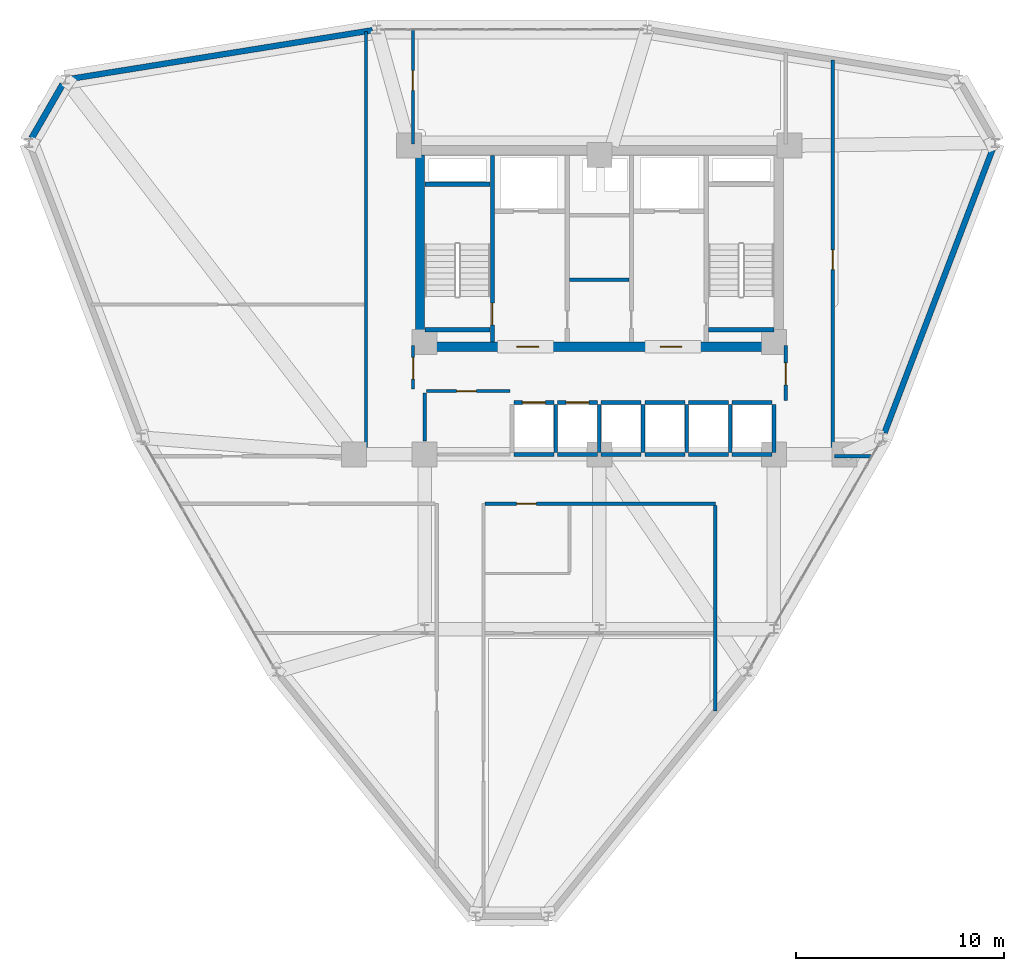
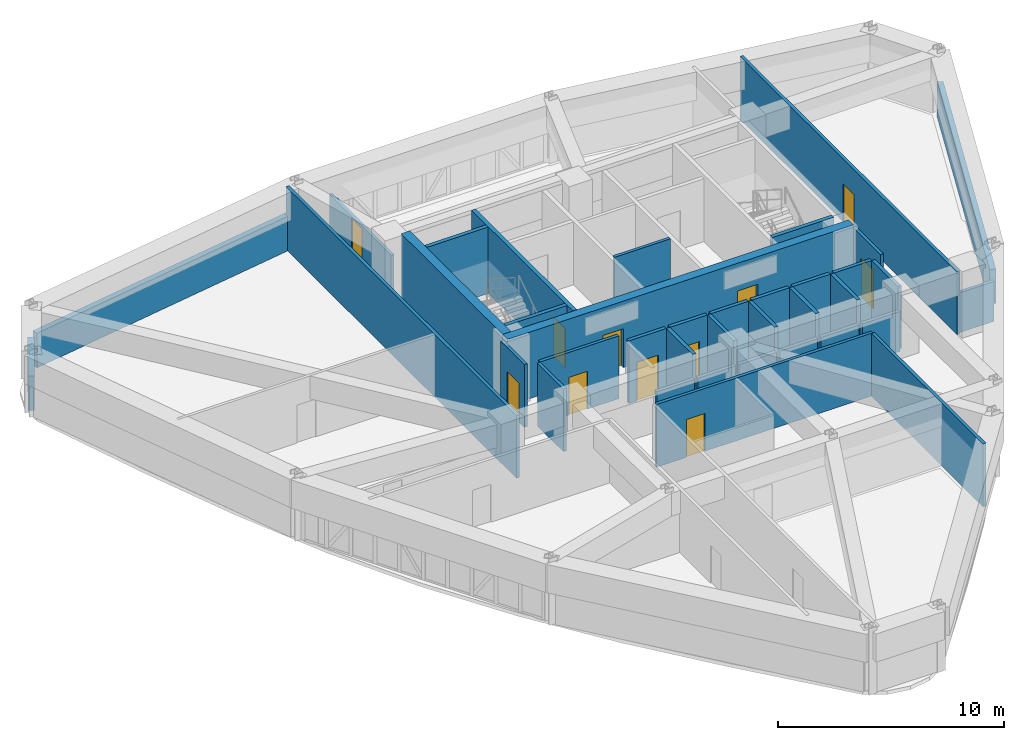
# One storey, part 11 of 13: 38 walls, 11 doors, 11 openings.
"""IFC4 building model written with IfcOpenShell, lengths in metres."""

from ifc_helpers import new_model, si_unit, derived_unit, direction, frame, frame_2d, origin, place, context, subcontext, project, spatial, rectangle, extrude, material, layer, layer_set, type_object, element, fill, save


model = new_model("IFC4")

# Units and contexts
model_context = context("Model", 3, precision=1e-05, world=origin(), true_north=direction((0.0, 1.0)))
body_context = subcontext(model_context, "Body", "Model", "MODEL_VIEW")
ifc_project = project(units=[si_unit("LENGTHUNIT", "METRE"), si_unit("AREAUNIT", "SQUARE_METRE"), si_unit("VOLUMEUNIT", "CUBIC_METRE"), si_unit("PLANEANGLEUNIT", "RADIAN"), si_unit("MASSUNIT", "GRAM", prefix="KILO"), derived_unit("THERMALTRANSMITTANCEUNIT", [(si_unit("POWERUNIT", "WATT"), 1), (si_unit("LENGTHUNIT", "METRE"), -2), (si_unit("THERMODYNAMICTEMPERATUREUNIT", "KELVIN"), -1)])], contexts=[model_context])

# Site, building, storey
site_placement = place(None, origin())
site = spatial("IfcSite", under=ifc_project, at=site_placement, CompositionType="ELEMENT")
building_placement = place(site_placement, origin())
building = spatial("IfcBuilding", under=site, at=building_placement, Name="Korsvarv Bourse and Concert Hall", CompositionType="ELEMENT")
storey_placement = place(building_placement, frame((0.0, 0.0, 154.199951171875)))
storey = spatial("IfcBuildingStorey", under=building, at=storey_placement, Name="L39", CompositionType="ELEMENT", Elevation=154.199951171875)

# Wall, opening, door
ifc_material_1 = material(Name="Concrete C50/60", Category="concrete")
ifc_layer_1 = layer(ifc_material_1, 0.3798828125)
ifc_layer_set_1 = layer_set([ifc_layer_1], Name="Concrete C50/60")
wall_type_1 = type_object("IfcWallType", Name="WL-CORE-380", PredefinedType="SHEAR", material=ifc_layer_set_1)
wall_1_placement = place(storey_placement, frame((30.860107421875, 37.81005859375, 0.0), z_axis=(0.0, 0.0, 1.0), x_axis=(0.0, 1.0, 0.0)))
wall_1 = element("IfcWall", 1, at=wall_1_placement, inside=storey, type_object=wall_type_1, Name="L39 stair shaft structural wall W-L39-ST1-E", PredefinedType="SHEAR", context=body_context, shape_type="SweptSolid", body=[
    extrude(rectangle(XDim=8.97998046875, YDim=0.199951171875, at=frame_2d((4.489990234375, 0.0))), origin(), (0.0, 0.0, 1.0), 3.60009765625),
])
opening_1_placement = place(wall_1_placement, frame((0.820068359375, 0.0, 0.0)))
opening_1 = element("IfcOpeningElement", 2, at=opening_1_placement, cuts=wall_1, Name="Opening D-01", PredefinedType="OPENING", context=body_context, shape_type="SweptSolid", body=[
    extrude(rectangle(XDim=1.050048828125, YDim=2.10009765625, at=frame_2d((0.52490234375, 1.050048828125))), frame((0.0, 0.10986328125, 0.0), z_axis=(0.0, -1.0, 0.0), x_axis=(1.0, 0.0, 0.0)), (0.0, 0.0, 1.0), 0.219970703125),
])
ifc_material_2 = material(Name="Steel S355 fire door", Category="steel")
door_type_1 = type_object("IfcDoorType", Name="DR-FD60", OperationType="NOTDEFINED", PredefinedType="DOOR", material=ifc_material_2)
door_1_placement = place(opening_1_placement, origin())
door_1 = element("IfcDoor", 3, at=door_1_placement, inside=storey, type_object=door_type_1, Name="L39 interior door DR-L39-ST1", OperationType="SINGLE_SWING_LEFT", OverallHeight=2.10009765625, OverallWidth=1.050048828125, PredefinedType="DOOR", context=body_context, shape_type="SweptSolid", body=[
    extrude(rectangle(XDim=1.050048828125, YDim=2.10009765625, at=frame_2d((0.52490234375, 1.050048828125))), frame((0.0, 0.02490234375, 0.0), z_axis=(0.0, -1.0, 0.0), x_axis=(1.0, 0.0, 0.0)), (0.0, 0.0, 1.0), 0.050048828125),
])
fill(opening_1, door_1)

# Walls
for number, where, z_axis, x_axis, name in (
    (4, (27.610107421875, 45.39990234375, 0.0), (0.0, 0.0, 1.0), (1.0, 0.0, 0.0), "L39 stair shaft structural wall W-L39-ST1-N"),
    (5, (27.610107421875, 38.39990234375, 0.0), (0.0, 0.0, 1.0), (1.0, 0.0, 0.0), "L39 stair shaft structural wall W-L39-ST1-S"),
    (6, (41.25, 38.39990234375, 0.0), (0.0, 0.0, 1.0), (1.0, 0.0, 0.0), "L39 stair shaft structural wall W-L39-ST2-S"),
):
    element("IfcWall", number, at=place(storey_placement, frame(where, z_axis=z_axis, x_axis=x_axis)), inside=storey, type_object=wall_type_1, Name=name, PredefinedType="SHEAR", context=body_context, shape_type="SweptSolid", body=[
        extrude(rectangle(XDim=3.139892578125, YDim=0.199951171875, at=frame_2d((1.56982421875, 0.0))), origin(), (0.0, 0.0, 1.0), 3.60009765625),
    ])

# Wall, openings, doors
ifc_material_3 = material(Name="Concrete C55/67", Category="concrete")
ifc_layer_2 = layer(ifc_material_3, 0.449951171875)
ifc_layer_set_2 = layer_set([ifc_layer_2], Name="Concrete C55/67")
wall_type_2 = type_object("IfcWallType", Name="WL-CORE-450", PredefinedType="SHEAR", material=ifc_layer_set_2)
wall_2_placement = place(storey_placement, frame((27.14990234375, 37.574951171875, 0.0), z_axis=(0.0, 0.0, 1.0), x_axis=(1.0, 0.0, 0.0)))
wall_2 = element("IfcWall", 7, at=wall_2_placement, inside=storey, type_object=wall_type_2, Name="L39 South Core Shear Wall", PredefinedType="SHEAR", context=body_context, shape_type="SweptSolid", body=[
    extrude(rectangle(XDim=17.7001953125, YDim=0.449951171875, at=frame_2d((8.85009765625, 0.0))), origin(), (0.0, 0.0, 1.0), 3.60009765625),
])
opening_2_placement = place(wall_2_placement, frame((4.875, 0.0, 0.0)))
opening_2 = element("IfcOpeningElement", 8, at=opening_2_placement, cuts=wall_2, Name="Opening D-01", PredefinedType="OPENING", context=body_context, shape_type="SweptSolid", body=[
    extrude(rectangle(XDim=1.050048828125, YDim=2.10009765625, at=frame_2d((0.52490234375, 1.050048828125))), frame((0.0, 0.23486328125, 0.0), z_axis=(0.0, -1.0, 0.0), x_axis=(1.0, 0.0, 0.0)), (0.0, 0.0, 1.0), 0.469970703125),
])
opening_3_placement = place(wall_2_placement, frame((11.77490234375, 0.0, 0.0)))
opening_3 = element("IfcOpeningElement", 9, at=opening_3_placement, cuts=wall_2, Name="Opening D-01", PredefinedType="OPENING", context=body_context, shape_type="SweptSolid", body=[
    extrude(rectangle(XDim=1.050048828125, YDim=2.10009765625, at=frame_2d((0.52490234375, 1.050048828125))), frame((0.0, 0.23486328125, 0.0), z_axis=(0.0, -1.0, 0.0), x_axis=(1.0, 0.0, 0.0)), (0.0, 0.0, 1.0), 0.469970703125),
])
door_2_placement = place(opening_2_placement, frame((1.050048828125, 0.0, 0.0), z_axis=(0.0, 0.0, 1.0), x_axis=(-1.0, 0.0, 0.0)))
door_2 = element("IfcDoor", 10, at=door_2_placement, inside=storey, type_object=door_type_1, Name="L39 firefighting lobby fire door DR-L39-FFLW", OperationType="SINGLE_SWING_LEFT", OverallHeight=2.10009765625, OverallWidth=1.050048828125, PredefinedType="DOOR", context=body_context, shape_type="SweptSolid", body=[
    extrude(rectangle(XDim=1.050048828125, YDim=2.10009765625, at=frame_2d((0.52490234375, 1.050048828125))), frame((0.0, 0.02490234375, 0.0), z_axis=(0.0, -1.0, 0.0), x_axis=(1.0, 0.0, 0.0)), (0.0, 0.0, 1.0), 0.050048828125),
])
fill(opening_2, door_2)
door_3_placement = place(opening_3_placement, frame((1.050048828125, 0.0, 0.0), z_axis=(0.0, 0.0, 1.0), x_axis=(-1.0, 0.0, 0.0)))
door_3 = element("IfcDoor", 11, at=door_3_placement, inside=storey, type_object=door_type_1, Name="L39 firefighting lobby fire door DR-L39-FFLE", OperationType="SINGLE_SWING_RIGHT", OverallHeight=2.10009765625, OverallWidth=1.050048828125, PredefinedType="DOOR", context=body_context, shape_type="SweptSolid", body=[
    extrude(rectangle(XDim=1.050048828125, YDim=2.10009765625, at=frame_2d((0.52490234375, 1.050048828125))), frame((0.0, 0.02490234375, 0.0), z_axis=(0.0, -1.0, 0.0), x_axis=(1.0, 0.0, 0.0)), (0.0, 0.0, 1.0), 0.050048828125),
])
fill(opening_3, door_3)

# Walls
wall_3_placement = place(storey_placement, frame((27.375, 37.800048828125, 0.0), z_axis=(0.0, 0.0, 1.0), x_axis=(0.0, 1.0, 0.0)))
element("IfcWall", 12, at=wall_3_placement, inside=storey, type_object=wall_type_2, Name="L39 West Core Shear Wall", PredefinedType="SHEAR", context=body_context, shape_type="SweptSolid", body=[
    extrude(rectangle(XDim=9.0, YDim=0.449951171875, at=frame_2d((4.5, 0.0))), origin(), (0.0, 0.0, 1.0), 3.60009765625),
])
ifc_material_4 = material(Name="Precast concrete C45/55 with terracotta rainscreen", Category="concrete")
ifc_layer_3 = layer(ifc_material_4, 0.300048828125)
ifc_layer_set_3 = layer_set([ifc_layer_3], Name="Precast concrete C45/55 with terracotta rainscreen")
wall_type_3 = type_object("IfcWallType", Name="WL-EXT-TC1", PredefinedType="SOLIDWALL", material=ifc_layer_set_3)
wall_4_placement = place(storey_placement, frame((10.1904296875, 50.20361328125, 0.0), z_axis=(0.0, 0.0, 1.0), x_axis=(-0.499974392705, -0.866040187658, 0.0)))
element("IfcWall", 13, at=wall_4_placement, inside=storey, type_object=wall_type_3, Name="L39 terracotta exterior wall EW-L39-B05", PredefinedType="SOLIDWALL", context=body_context, shape_type="SweptSolid", body=[
    extrude(rectangle(XDim=2.991943359375, YDim=0.300048828125, at=frame_2d((1.49609375, 0.0))), origin(), (0.0, 0.0, 1.0), 1.8701171875),
])
ifc_material_5 = material(Name="Precast concrete C45/55 with fluted terracotta pier", Category="concrete")
ifc_layer_4 = layer(ifc_material_5, 0.280029296875)
ifc_layer_set_4 = layer_set([ifc_layer_4], Name="Precast concrete C45/55 with fluted terracotta pier")
wall_type_4 = type_object("IfcWallType", Name="WL-EXT-TC2", PredefinedType="SOLIDWALL", material=ifc_layer_set_4)
wall_5_placement = place(storey_placement, frame((25.088134765625, 52.802490234375, 0.0), z_axis=(0.0, 0.0, 1.0), x_axis=(-0.987303259595, -0.158846698404, 0.0)))
element("IfcWall", 14, at=wall_5_placement, inside=storey, type_object=wall_type_4, Name="L39 terracotta exterior wall EW-L39-B04", PredefinedType="SOLIDWALL", context=body_context, shape_type="SweptSolid", body=[
    extrude(rectangle(XDim=14.74560546875, YDim=0.280029296875, at=frame_2d((7.372802734375, 0.0))), origin(), (0.0, 0.0, 1.0), 1.8701171875),
])
wall_6_placement = place(storey_placement, frame((49.716064453125, 33.43408203125, 0.0), z_axis=(0.0, 0.0, 1.0), x_axis=(0.356077530784, 0.934456415287, 0.0)))
element("IfcWall", 15, at=wall_6_placement, inside=storey, type_object=wall_type_4, Name="L39 terracotta exterior wall EW-L39-B12", PredefinedType="SOLIDWALL", context=body_context, shape_type="SweptSolid", body=[
    extrude(rectangle(XDim=14.69677734375, YDim=0.280029296875, at=frame_2d((7.348388671875, 0.0))), origin(), (0.0, 0.0, 1.0), 1.8701171875),
])
ifc_material_6 = material(Name="Double-stud fire-rated acoustic partition", Category="gypsum")
ifc_layer_5 = layer(ifc_material_6, 0.159912109375)
ifc_layer_set_5 = layer_set([ifc_layer_5], Name="Double-stud fire-rated acoustic partition")
wall_type_5 = type_object("IfcWallType", Name="WL-INT-EI60", PredefinedType="PARTITIONING", material=ifc_layer_set_5)
wall_7_placement = place(storey_placement, frame((34.570068359375, 40.800048828125, 0.0), z_axis=(0.0, 0.0, 1.0), x_axis=(1.0, 0.0, 0.0)))
element("IfcWall", 16, at=wall_7_placement, inside=storey, type_object=wall_type_5, Name="L39 interior partition wall W-L39-K1", PredefinedType="PARTITIONING", context=body_context, shape_type="SweptSolid", body=[
    extrude(rectangle(XDim=2.85986328125, YDim=0.159912109375, at=frame_2d((1.429931640625, 0.0))), origin(), (0.0, 0.0, 1.0), 3.400146484375),
])
wall_8_placement = place(storey_placement, frame((27.60009765625, 33.050048828125, 0.0), z_axis=(0.0, 0.0, 1.0), x_axis=(0.0, 1.0, 0.0)))
element("IfcWall", 17, at=wall_8_placement, inside=storey, type_object=wall_type_5, Name="L39 interior partition wall W-L39-FRD-W", PredefinedType="PARTITIONING", context=body_context, shape_type="SweptSolid", body=[
    extrude(rectangle(XDim=2.31005859375, YDim=0.159912109375, at=frame_2d((1.155029296875, 0.0))), origin(), (0.0, 0.0, 1.0), 3.400146484375),
])

# Wall, opening, door
wall_9_placement = place(storey_placement, frame((27.68994140625, 35.449951171875, 0.0), z_axis=(0.0, 0.0, 1.0), x_axis=(1.0, 0.0, 0.0)))
wall_9 = element("IfcWall", 18, at=wall_9_placement, inside=storey, type_object=wall_type_5, Name="L39 interior partition wall W-L39-FRD-N", PredefinedType="PARTITIONING", context=body_context, shape_type="SweptSolid", body=[
    extrude(rectangle(XDim=4.010009765625, YDim=0.159912109375, at=frame_2d((2.0048828125, 0.0))), origin(), (0.0, 0.0, 1.0), 3.400146484375),
])
opening_4_placement = place(wall_9_placement, frame((1.449951171875, 0.0, 0.0)))
opening_4 = element("IfcOpeningElement", 19, at=opening_4_placement, cuts=wall_9, Name="Opening D-03", PredefinedType="OPENING", context=body_context, shape_type="SweptSolid", body=[
    extrude(rectangle(XDim=0.949951171875, YDim=2.050048828125, at=frame_2d((0.47509765625, 1.02490234375))), frame((0.0, 0.08984375, 0.0), z_axis=(0.0, -1.0, 0.0), x_axis=(1.0, 0.0, 0.0)), (0.0, 0.0, 1.0), 0.179931640625),
])
ifc_material_7 = material(Name="Nordic oak acoustic office door", Category="wood")
door_type_2 = type_object("IfcDoorType", Name="DR-INT-1", OperationType="NOTDEFINED", PredefinedType="DOOR", material=ifc_material_7)
door_4_placement = place(opening_4_placement, origin())
door_4 = element("IfcDoor", 20, at=door_4_placement, inside=storey, type_object=door_type_2, Name="L39 interior door DR-L39-FRDN1", OperationType="SINGLE_SWING_LEFT", OverallHeight=2.050048828125, OverallWidth=0.949951171875, PredefinedType="DOOR", context=body_context, shape_type="SweptSolid", body=[
    extrude(rectangle(XDim=0.949951171875, YDim=2.050048828125, at=frame_2d((0.47509765625, 1.02490234375))), frame((0.0, 0.02490234375, 0.0), z_axis=(0.0, -1.0, 0.0), x_axis=(1.0, 0.0, 0.0)), (0.0, 0.0, 1.0), 0.050048828125),
])
fill(opening_4, door_4)

wall_10_placement = place(storey_placement, frame((27.0400390625, 35.5400390625, 0.0), z_axis=(0.0, 0.0, 1.0), x_axis=(0.0, 1.0, 0.0)))
wall_10 = element("IfcWall", 21, at=wall_10_placement, inside=storey, type_object=wall_type_5, Name="L39 interior partition wall W-L39-LOB-WL", PredefinedType="PARTITIONING", context=body_context, shape_type="SweptSolid", body=[
    extrude(rectangle(XDim=2.10986328125, YDim=0.159912109375, at=frame_2d((1.054931640625, 0.0))), origin(), (0.0, 0.0, 1.0), 3.400146484375),
])
opening_5_placement = place(wall_10_placement, frame((0.47998046875, 0.0, 0.0)))
opening_5 = element("IfcOpeningElement", 22, at=opening_5_placement, cuts=wall_10, Name="Opening D-01", PredefinedType="OPENING", context=body_context, shape_type="SweptSolid", body=[
    extrude(rectangle(XDim=1.050048828125, YDim=2.10009765625, at=frame_2d((0.52490234375, 1.050048828125))), frame((0.0, 0.08984375, 0.0), z_axis=(0.0, -1.0, 0.0), x_axis=(1.0, 0.0, 0.0)), (0.0, 0.0, 1.0), 0.179931640625),
])
door_5_placement = place(opening_5_placement, frame((1.050048828125, 0.0, 0.0), z_axis=(0.0, 0.0, 1.0), x_axis=(-1.0, 0.0, 0.0)))
door_5 = element("IfcDoor", 23, at=door_5_placement, inside=storey, type_object=door_type_1, Name="L39 interior door DR-L39-LOBW", OperationType="SINGLE_SWING_RIGHT", OverallHeight=2.10009765625, OverallWidth=1.050048828125, PredefinedType="DOOR", context=body_context, shape_type="SweptSolid", body=[
    extrude(rectangle(XDim=1.050048828125, YDim=2.10009765625, at=frame_2d((0.52490234375, 1.050048828125))), frame((0.0, 0.02490234375, 0.0), z_axis=(0.0, -1.0, 0.0), x_axis=(1.0, 0.0, 0.0)), (0.0, 0.0, 1.0), 0.050048828125),
])
fill(opening_5, door_5)

wall_11_placement = place(storey_placement, frame((44.9599609375, 35.0, 0.0), z_axis=(0.0, 0.0, 1.0), x_axis=(0.0, 1.0, 0.0)))
wall_11 = element("IfcWall", 24, at=wall_11_placement, inside=storey, type_object=wall_type_5, Name="L39 interior partition wall W-L39-LOB-E", PredefinedType="PARTITIONING", context=body_context, shape_type="SweptSolid", body=[
    extrude(rectangle(XDim=2.64990234375, YDim=0.159912109375, at=frame_2d((1.324951171875, 0.0))), origin(), (0.0, 0.0, 1.0), 3.400146484375),
])
opening_6_placement = place(wall_11_placement, frame((0.75, 0.0, 0.0)))
opening_6 = element("IfcOpeningElement", 25, at=opening_6_placement, cuts=wall_11, Name="Opening D-01", PredefinedType="OPENING", context=body_context, shape_type="SweptSolid", body=[
    extrude(rectangle(XDim=1.050048828125, YDim=2.10009765625, at=frame_2d((0.52490234375, 1.050048828125))), frame((0.0, 0.08984375, 0.0), z_axis=(0.0, -1.0, 0.0), x_axis=(1.0, 0.0, 0.0)), (0.0, 0.0, 1.0), 0.179931640625),
])
door_6_placement = place(opening_6_placement, origin())
door_6 = element("IfcDoor", 26, at=door_6_placement, inside=storey, type_object=door_type_1, Name="L39 interior door DR-L39-LOBE", OperationType="SINGLE_SWING_LEFT", OverallHeight=2.10009765625, OverallWidth=1.050048828125, PredefinedType="DOOR", context=body_context, shape_type="SweptSolid", body=[
    extrude(rectangle(XDim=1.050048828125, YDim=2.10009765625, at=frame_2d((0.52490234375, 1.050048828125))), frame((0.0, 0.02490234375, 0.0), z_axis=(0.0, -1.0, 0.0), x_axis=(1.0, 0.0, 0.0)), (0.0, 0.0, 1.0), 0.050048828125),
])
fill(opening_6, door_6)

# Wall
wall_12_placement = place(storey_placement, frame((24.77490234375, 32.31005859375, 0.0), z_axis=(0.0, 0.0, 1.0), x_axis=(0.0, 1.0, 0.0)))
element("IfcWall", 27, at=wall_12_placement, inside=storey, type_object=wall_type_5, Name="L39 interior partition wall W-L39-TCOR-01", PredefinedType="PARTITIONING", context=body_context, shape_type="SweptSolid", body=[
    extrude(rectangle(XDim=20.422119140625, YDim=0.159912109375, at=frame_2d((10.2109375, 0.0))), origin(), (0.0, 0.0, 1.0), 3.400146484375),
])

# Wall, opening, door
wall_13_placement = place(storey_placement, frame((47.22509765625, 32.159912109375, 0.0), z_axis=(0.0, 0.0, 1.0), x_axis=(0.0, 1.0, 0.0)))
wall_13 = element("IfcWall", 28, at=wall_13_placement, inside=storey, type_object=wall_type_5, Name="L39 interior partition wall W-L39-TCOR-03", PredefinedType="PARTITIONING", context=body_context, shape_type="SweptSolid", body=[
    extrude(rectangle(XDim=19.220703125, YDim=0.159912109375, at=frame_2d((9.6103515625, 0.0))), origin(), (0.0, 0.0, 1.0), 3.400146484375),
])
opening_7_placement = place(wall_13_placement, frame((9.13525390625, 0.0, 0.0)))
opening_7 = element("IfcOpeningElement", 29, at=opening_7_placement, cuts=wall_13, Name="Opening D-02", PredefinedType="OPENING", context=body_context, shape_type="SweptSolid", body=[
    extrude(rectangle(XDim=0.949951171875, YDim=2.050048828125, at=frame_2d((0.47509765625, 1.02490234375))), frame((0.0, 0.08984375, 0.0), z_axis=(0.0, -1.0, 0.0), x_axis=(1.0, 0.0, 0.0)), (0.0, 0.0, 1.0), 0.179931640625),
])
ifc_material_8 = material(Name="Timber and steel acoustic fire door", Category="wood")
door_type_3 = type_object("IfcDoorType", Name="DR-FD30", OperationType="NOTDEFINED", PredefinedType="DOOR", material=ifc_material_8)
door_7_placement = place(opening_7_placement, origin())
door_7 = element("IfcDoor", 30, at=door_7_placement, inside=storey, type_object=door_type_3, Name="L39 interior door DR-L39-TCOR-SOM1", OperationType="SINGLE_SWING_LEFT", OverallHeight=2.050048828125, OverallWidth=0.949951171875, PredefinedType="DOOR", context=body_context, shape_type="SweptSolid", body=[
    extrude(rectangle(XDim=0.949951171875, YDim=2.050048828125, at=frame_2d((0.47509765625, 1.02490234375))), frame((0.0, 0.02490234375, 0.0), z_axis=(0.0, -1.0, 0.0), x_axis=(1.0, 0.0, 0.0)), (0.0, 0.0, 1.0), 0.050048828125),
])
fill(opening_7, door_7)

wall_14_placement = place(storey_placement, frame((30.507080078125, 30.02490234375, 0.0), z_axis=(0.0, 0.0, 1.0), x_axis=(1.0, 0.0, 0.0)))
wall_14 = element("IfcWall", 31, at=wall_14_placement, inside=storey, type_object=wall_type_5, Name="L39 interior partition wall W-L39-TCOR-06", PredefinedType="PARTITIONING", context=body_context, shape_type="SweptSolid", body=[
    extrude(rectangle(XDim=11.072998046875, YDim=0.159912109375, at=frame_2d((5.53662109375, 0.0))), origin(), (0.0, 0.0, 1.0), 3.400146484375),
])
opening_8_placement = place(wall_14_placement, frame((1.51220703125, 0.0, 0.0)))
opening_8 = element("IfcOpeningElement", 32, at=opening_8_placement, cuts=wall_14, Name="Opening D-02", PredefinedType="OPENING", context=body_context, shape_type="SweptSolid", body=[
    extrude(rectangle(XDim=0.949951171875, YDim=2.050048828125, at=frame_2d((0.47509765625, 1.02490234375))), frame((0.0, 0.08984375, 0.0), z_axis=(0.0, -1.0, 0.0), x_axis=(1.0, 0.0, 0.0)), (0.0, 0.0, 1.0), 0.179931640625),
])
door_8_placement = place(opening_8_placement, origin())
door_8 = element("IfcDoor", 33, at=door_8_placement, inside=storey, type_object=door_type_3, Name="L39 interior door DR-L39-TCOR-RWC", OperationType="SINGLE_SWING_RIGHT", OverallHeight=2.050048828125, OverallWidth=0.949951171875, PredefinedType="DOOR", context=body_context, shape_type="SweptSolid", body=[
    extrude(rectangle(XDim=0.949951171875, YDim=2.050048828125, at=frame_2d((0.47509765625, 1.02490234375))), frame((0.0, 0.02490234375, 0.0), z_axis=(0.0, -1.0, 0.0), x_axis=(1.0, 0.0, 0.0)), (0.0, 0.0, 1.0), 0.050048828125),
])
fill(opening_8, door_8)

# Wall
wall_15_placement = place(storey_placement, frame((41.574951171875, 20.060791015625, 0.0), z_axis=(0.0, 0.0, 1.0), x_axis=(0.0, 1.0, 0.0)))
element("IfcWall", 34, at=wall_15_placement, inside=storey, type_object=wall_type_5, Name="L39 interior partition wall W-L39-TCOR-08", PredefinedType="PARTITIONING", context=body_context, shape_type="SweptSolid", body=[
    extrude(rectangle(XDim=9.88232421875, YDim=0.159912109375, at=frame_2d((4.941162109375, 0.0))), origin(), (0.0, 0.0, 1.0), 3.400146484375),
])

# Wall, opening, door
wall_16_placement = place(storey_placement, frame((27.034912109375, 47.340087890625, 0.0), z_axis=(0.0, 0.0, 1.0), x_axis=(0.0, 1.0, 0.0)))
wall_16 = element("IfcWall", 35, at=wall_16_placement, inside=storey, type_object=wall_type_5, Name="L39 interior partition wall W-L39-TCOR-09", PredefinedType="PARTITIONING", context=body_context, shape_type="SweptSolid", body=[
    extrude(rectangle(XDim=5.476318359375, YDim=0.159912109375, at=frame_2d((2.73828125, 0.0))), origin(), (0.0, 0.0, 1.0), 2.16015625),
])
opening_9_placement = place(wall_16_placement, frame((2.570068359375, 0.0, 0.0)))
opening_9 = element("IfcOpeningElement", 36, at=opening_9_placement, cuts=wall_16, Name="Opening D-02", PredefinedType="OPENING", context=body_context, shape_type="SweptSolid", body=[
    extrude(rectangle(XDim=0.949951171875, YDim=2.050048828125, at=frame_2d((0.47509765625, 1.02490234375))), frame((0.0, 0.08984375, 0.0), z_axis=(0.0, -1.0, 0.0), x_axis=(1.0, 0.0, 0.0)), (0.0, 0.0, 1.0), 0.179931640625),
])
door_9_placement = place(opening_9_placement, origin())
door_9 = element("IfcDoor", 37, at=door_9_placement, inside=storey, type_object=door_type_3, Name="L39 interior door DR-L39-TCOR-CIG2", OperationType="SINGLE_SWING_RIGHT", OverallHeight=2.050048828125, OverallWidth=0.949951171875, PredefinedType="DOOR", context=body_context, shape_type="SweptSolid", body=[
    extrude(rectangle(XDim=0.949951171875, YDim=2.050048828125, at=frame_2d((0.47509765625, 1.02490234375))), frame((0.0, 0.02490234375, 0.0), z_axis=(0.0, -1.0, 0.0), x_axis=(1.0, 0.0, 0.0)), (0.0, 0.0, 1.0), 0.050048828125),
])
fill(opening_9, door_9)

# Wall
wall_17_placement = place(storey_placement, frame((47.306884765625, 32.31494140625, 0.0), z_axis=(0.0, 0.0, 1.0), x_axis=(1.0, 0.0, 0.0)))
element("IfcWall", 38, at=wall_17_placement, inside=storey, type_object=wall_type_5, Name="L39 interior partition wall W-L39-TCOR-11", PredefinedType="PARTITIONING", context=body_context, shape_type="SweptSolid", body=[
    extrude(rectangle(XDim=1.78662109375, YDim=0.159912109375, at=frame_2d((0.893310546875, 0.0))), origin(), (0.0, 0.0, 1.0), 2.16015625),
])

# Wall, opening, door
ifc_material_9 = material(Name="Gypsum-clad autoclaved concrete shaft wall C30/37", Category="concrete")
ifc_layer_6 = layer(ifc_material_9, 0.179931640625)
ifc_layer_set_6 = layer_set([ifc_layer_6], Name="Gypsum-clad autoclaved concrete shaft wall C30/37")
wall_type_6 = type_object("IfcWallType", Name="WL-INT-EI90", PredefinedType="PARTITIONING", material=ifc_layer_set_6)
wall_18_placement = place(storey_placement, frame((31.889892578125, 34.89990234375, 0.0), z_axis=(0.0, 0.0, 1.0), x_axis=(1.0, 0.0, 0.0)))
wall_18 = element("IfcWall", 39, at=wall_18_placement, inside=storey, type_object=wall_type_6, Name="L39 interior partition wall W-L39-SHFN-PM1", PredefinedType="PARTITIONING", context=body_context, shape_type="SweptSolid", body=[
    extrude(rectangle(XDim=1.920166015625, YDim=0.179931640625, at=frame_2d((0.9599609375, 0.0))), origin(), (0.0, 0.0, 1.0), 3.400146484375),
])
opening_10_placement = place(wall_18_placement, frame((0.409912109375, 0.0, 0.0)))
opening_10 = element("IfcOpeningElement", 40, at=opening_10_placement, cuts=wall_18, Name="Opening LD-2", PredefinedType="OPENING", context=body_context, shape_type="SweptSolid", body=[
    extrude(rectangle(XDim=1.10009765625, YDim=2.10009765625, at=frame_2d((0.550048828125, 1.050048828125))), frame((0.0, 0.10009765625, 0.0), z_axis=(0.0, -1.0, 0.0), x_axis=(1.0, 0.0, 0.0)), (0.0, 0.0, 1.0), 0.199951171875),
])
ifc_material_10 = material(Name="Brushed stainless Steel S355 lift landing door", Category="steel")
door_type_4 = type_object("IfcDoorType", Name="DR-LIFT-P", OperationType="DOUBLE_DOOR_SLIDING", PredefinedType="DOOR", material=ifc_material_10)
door_10_placement = place(opening_10_placement, origin())
door_10 = element("IfcDoor", 41, at=door_10_placement, inside=storey, type_object=door_type_4, Name="L39 lift sliding landing door LD-L39-PM1", OperationType="DOUBLE_DOOR_SLIDING", OverallHeight=2.10009765625, OverallWidth=1.10009765625, PredefinedType="DOOR", context=body_context, shape_type="SweptSolid", body=[
    extrude(rectangle(XDim=1.10009765625, YDim=2.10009765625, at=frame_2d((0.550048828125, 1.050048828125))), frame((0.0, 0.02490234375, 0.0), z_axis=(0.0, -1.0, 0.0), x_axis=(1.0, 0.0, 0.0)), (0.0, 0.0, 1.0), 0.050048828125),
])
fill(opening_10, door_10)

# Wall
wall_19_placement = place(storey_placement, frame((31.889892578125, 32.39990234375, 0.0), z_axis=(0.0, 0.0, 1.0), x_axis=(1.0, 0.0, 0.0)))
element("IfcWall", 42, at=wall_19_placement, inside=storey, type_object=wall_type_6, Name="L39 interior partition wall W-L39-SHFS-PM1", PredefinedType="PARTITIONING", context=body_context, shape_type="SweptSolid", body=[
    extrude(rectangle(XDim=1.920166015625, YDim=0.179931640625, at=frame_2d((0.9599609375, 0.0))), origin(), (0.0, 0.0, 1.0), 2.16015625),
])

# Wall, opening, door
wall_20_placement = place(storey_placement, frame((33.989990234375, 34.89990234375, 0.0), z_axis=(0.0, 0.0, 1.0), x_axis=(1.0, 0.0, 0.0)))
wall_20 = element("IfcWall", 43, at=wall_20_placement, inside=storey, type_object=wall_type_6, Name="L39 interior partition wall W-L39-SHFN-PM2", PredefinedType="PARTITIONING", context=body_context, shape_type="SweptSolid", body=[
    extrude(rectangle(XDim=1.919921875, YDim=0.179931640625, at=frame_2d((0.9599609375, 0.0))), origin(), (0.0, 0.0, 1.0), 3.400146484375),
])
opening_11_placement = place(wall_20_placement, frame((0.409912109375, 0.0, 0.0)))
opening_11 = element("IfcOpeningElement", 44, at=opening_11_placement, cuts=wall_20, Name="Opening LD-2", PredefinedType="OPENING", context=body_context, shape_type="SweptSolid", body=[
    extrude(rectangle(XDim=1.10009765625, YDim=2.10009765625, at=frame_2d((0.550048828125, 1.050048828125))), frame((0.0, 0.10009765625, 0.0), z_axis=(0.0, -1.0, 0.0), x_axis=(1.0, 0.0, 0.0)), (0.0, 0.0, 1.0), 0.199951171875),
])
door_11_placement = place(opening_11_placement, origin())
door_11 = element("IfcDoor", 45, at=door_11_placement, inside=storey, type_object=door_type_4, Name="L39 lift sliding landing door LD-L39-PM2", OperationType="DOUBLE_DOOR_SLIDING", OverallHeight=2.10009765625, OverallWidth=1.10009765625, PredefinedType="DOOR", context=body_context, shape_type="SweptSolid", body=[
    extrude(rectangle(XDim=1.10009765625, YDim=2.10009765625, at=frame_2d((0.550048828125, 1.050048828125))), frame((0.0, 0.02490234375, 0.0), z_axis=(0.0, -1.0, 0.0), x_axis=(1.0, 0.0, 0.0)), (0.0, 0.0, 1.0), 0.050048828125),
])
fill(opening_11, door_11)

# Walls
wall_21_placement = place(storey_placement, frame((33.989990234375, 32.39990234375, 0.0), z_axis=(0.0, 0.0, 1.0), x_axis=(1.0, 0.0, 0.0)))
element("IfcWall", 46, at=wall_21_placement, inside=storey, type_object=wall_type_6, Name="L39 interior partition wall W-L39-SHFS-PM2", PredefinedType="PARTITIONING", context=body_context, shape_type="SweptSolid", body=[
    extrude(rectangle(XDim=1.919921875, YDim=0.179931640625, at=frame_2d((0.9599609375, 0.0))), origin(), (0.0, 0.0, 1.0), 2.16015625),
])
wall_22_placement = place(storey_placement, frame((33.89990234375, 32.489990234375, 0.0), z_axis=(0.0, 0.0, 1.0), x_axis=(0.0, 1.0, 0.0)))
element("IfcWall", 47, at=wall_22_placement, inside=storey, type_object=wall_type_6, Name="L39 interior partition wall W-L39-SHFW-PM2", PredefinedType="PARTITIONING", context=body_context, shape_type="SweptSolid", body=[
    extrude(rectangle(XDim=2.320068359375, YDim=0.179931640625, at=frame_2d((1.16015625, 0.0))), origin(), (0.0, 0.0, 1.0), 3.400146484375),
])
wall_23_placement = place(storey_placement, frame((36.090087890625, 34.89990234375, 0.0), z_axis=(0.0, 0.0, 1.0), x_axis=(1.0, 0.0, 0.0)))
element("IfcWall", 48, at=wall_23_placement, inside=storey, type_object=wall_type_6, Name="L39 interior partition wall W-L39-SHFN-PH1", PredefinedType="PARTITIONING", context=body_context, shape_type="SweptSolid", body=[
    extrude(rectangle(XDim=1.919921875, YDim=0.179931640625, at=frame_2d((0.9599609375, 0.0))), origin(), (0.0, 0.0, 1.0), 3.400146484375),
])
wall_24_placement = place(storey_placement, frame((36.090087890625, 32.39990234375, 0.0), z_axis=(0.0, 0.0, 1.0), x_axis=(1.0, 0.0, 0.0)))
element("IfcWall", 49, at=wall_24_placement, inside=storey, type_object=wall_type_6, Name="L39 interior partition wall W-L39-SHFS-PH1", PredefinedType="PARTITIONING", context=body_context, shape_type="SweptSolid", body=[
    extrude(rectangle(XDim=1.919921875, YDim=0.179931640625, at=frame_2d((0.9599609375, 0.0))), origin(), (0.0, 0.0, 1.0), 2.16015625),
])
wall_25_placement = place(storey_placement, frame((36.0, 32.489990234375, 0.0), z_axis=(0.0, 0.0, 1.0), x_axis=(0.0, 1.0, 0.0)))
element("IfcWall", 50, at=wall_25_placement, inside=storey, type_object=wall_type_6, Name="L39 interior partition wall W-L39-SHFW-PH1", PredefinedType="PARTITIONING", context=body_context, shape_type="SweptSolid", body=[
    extrude(rectangle(XDim=2.320068359375, YDim=0.179931640625, at=frame_2d((1.16015625, 0.0))), origin(), (0.0, 0.0, 1.0), 3.400146484375),
])
wall_26_placement = place(storey_placement, frame((38.18994140625, 34.89990234375, 0.0), z_axis=(0.0, 0.0, 1.0), x_axis=(1.0, 0.0, 0.0)))
element("IfcWall", 51, at=wall_26_placement, inside=storey, type_object=wall_type_6, Name="L39 interior partition wall W-L39-SHFN-PH2", PredefinedType="PARTITIONING", context=body_context, shape_type="SweptSolid", body=[
    extrude(rectangle(XDim=1.920166015625, YDim=0.179931640625, at=frame_2d((0.9599609375, 0.0))), origin(), (0.0, 0.0, 1.0), 3.400146484375),
])
wall_27_placement = place(storey_placement, frame((38.18994140625, 32.39990234375, 0.0), z_axis=(0.0, 0.0, 1.0), x_axis=(1.0, 0.0, 0.0)))
element("IfcWall", 52, at=wall_27_placement, inside=storey, type_object=wall_type_6, Name="L39 interior partition wall W-L39-SHFS-PH2", PredefinedType="PARTITIONING", context=body_context, shape_type="SweptSolid", body=[
    extrude(rectangle(XDim=1.920166015625, YDim=0.179931640625, at=frame_2d((0.9599609375, 0.0))), origin(), (0.0, 0.0, 1.0), 2.16015625),
])
wall_28_placement = place(storey_placement, frame((38.10009765625, 32.489990234375, 0.0), z_axis=(0.0, 0.0, 1.0), x_axis=(0.0, 1.0, 0.0)))
element("IfcWall", 53, at=wall_28_placement, inside=storey, type_object=wall_type_6, Name="L39 interior partition wall W-L39-SHFW-PH2", PredefinedType="PARTITIONING", context=body_context, shape_type="SweptSolid", body=[
    extrude(rectangle(XDim=2.320068359375, YDim=0.179931640625, at=frame_2d((1.16015625, 0.0))), origin(), (0.0, 0.0, 1.0), 3.400146484375),
])
wall_29_placement = place(storey_placement, frame((40.2900390625, 34.89990234375, 0.0), z_axis=(0.0, 0.0, 1.0), x_axis=(1.0, 0.0, 0.0)))
element("IfcWall", 54, at=wall_29_placement, inside=storey, type_object=wall_type_6, Name="L39 interior partition wall W-L39-SHFN-PO1", PredefinedType="PARTITIONING", context=body_context, shape_type="SweptSolid", body=[
    extrude(rectangle(XDim=1.919921875, YDim=0.179931640625, at=frame_2d((0.9599609375, 0.0))), origin(), (0.0, 0.0, 1.0), 3.400146484375),
])
wall_30_placement = place(storey_placement, frame((40.2900390625, 32.39990234375, 0.0), z_axis=(0.0, 0.0, 1.0), x_axis=(1.0, 0.0, 0.0)))
element("IfcWall", 55, at=wall_30_placement, inside=storey, type_object=wall_type_6, Name="L39 interior partition wall W-L39-SHFS-PO1", PredefinedType="PARTITIONING", context=body_context, shape_type="SweptSolid", body=[
    extrude(rectangle(XDim=1.919921875, YDim=0.179931640625, at=frame_2d((0.9599609375, 0.0))), origin(), (0.0, 0.0, 1.0), 2.16015625),
])
wall_31_placement = place(storey_placement, frame((40.199951171875, 32.489990234375, 0.0), z_axis=(0.0, 0.0, 1.0), x_axis=(0.0, 1.0, 0.0)))
element("IfcWall", 56, at=wall_31_placement, inside=storey, type_object=wall_type_6, Name="L39 interior partition wall W-L39-SHFW-PO1", PredefinedType="PARTITIONING", context=body_context, shape_type="SweptSolid", body=[
    extrude(rectangle(XDim=2.320068359375, YDim=0.179931640625, at=frame_2d((1.16015625, 0.0))), origin(), (0.0, 0.0, 1.0), 3.400146484375),
])
wall_32_placement = place(storey_placement, frame((42.389892578125, 34.89990234375, 0.0), z_axis=(0.0, 0.0, 1.0), x_axis=(1.0, 0.0, 0.0)))
element("IfcWall", 57, at=wall_32_placement, inside=storey, type_object=wall_type_6, Name="L39 interior partition wall W-L39-SHFN-PO2", PredefinedType="PARTITIONING", context=body_context, shape_type="SweptSolid", body=[
    extrude(rectangle(XDim=1.920166015625, YDim=0.179931640625, at=frame_2d((0.9599609375, 0.0))), origin(), (0.0, 0.0, 1.0), 3.400146484375),
])
wall_33_placement = place(storey_placement, frame((42.389892578125, 32.39990234375, 0.0), z_axis=(0.0, 0.0, 1.0), x_axis=(1.0, 0.0, 0.0)))
element("IfcWall", 58, at=wall_33_placement, inside=storey, type_object=wall_type_6, Name="L39 interior partition wall W-L39-SHFS-PO2", PredefinedType="PARTITIONING", context=body_context, shape_type="SweptSolid", body=[
    extrude(rectangle(XDim=1.920166015625, YDim=0.179931640625, at=frame_2d((0.9599609375, 0.0))), origin(), (0.0, 0.0, 1.0), 2.16015625),
])
for number, where, z_axis, x_axis, name in (
    (59, (42.300048828125, 32.489990234375, 0.0), (0.0, 0.0, 1.0), (0.0, 1.0, 0.0), "L39 interior partition wall W-L39-SHFW-PO2"),
    (60, (44.39990234375, 32.489990234375, 0.0), (0.0, 0.0, 1.0), (0.0, 1.0, 0.0), "L39 interior partition wall W-L39-SHFE-END"),
):
    element("IfcWall", number, at=place(storey_placement, frame(where, z_axis=z_axis, x_axis=x_axis)), inside=storey, type_object=wall_type_6, Name=name, PredefinedType="PARTITIONING", context=body_context, shape_type="SweptSolid", body=[
        extrude(rectangle(XDim=2.320068359375, YDim=0.179931640625, at=frame_2d((1.16015625, 0.0))), origin(), (0.0, 0.0, 1.0), 3.400146484375),
    ])

save(model, "model.ifc")
